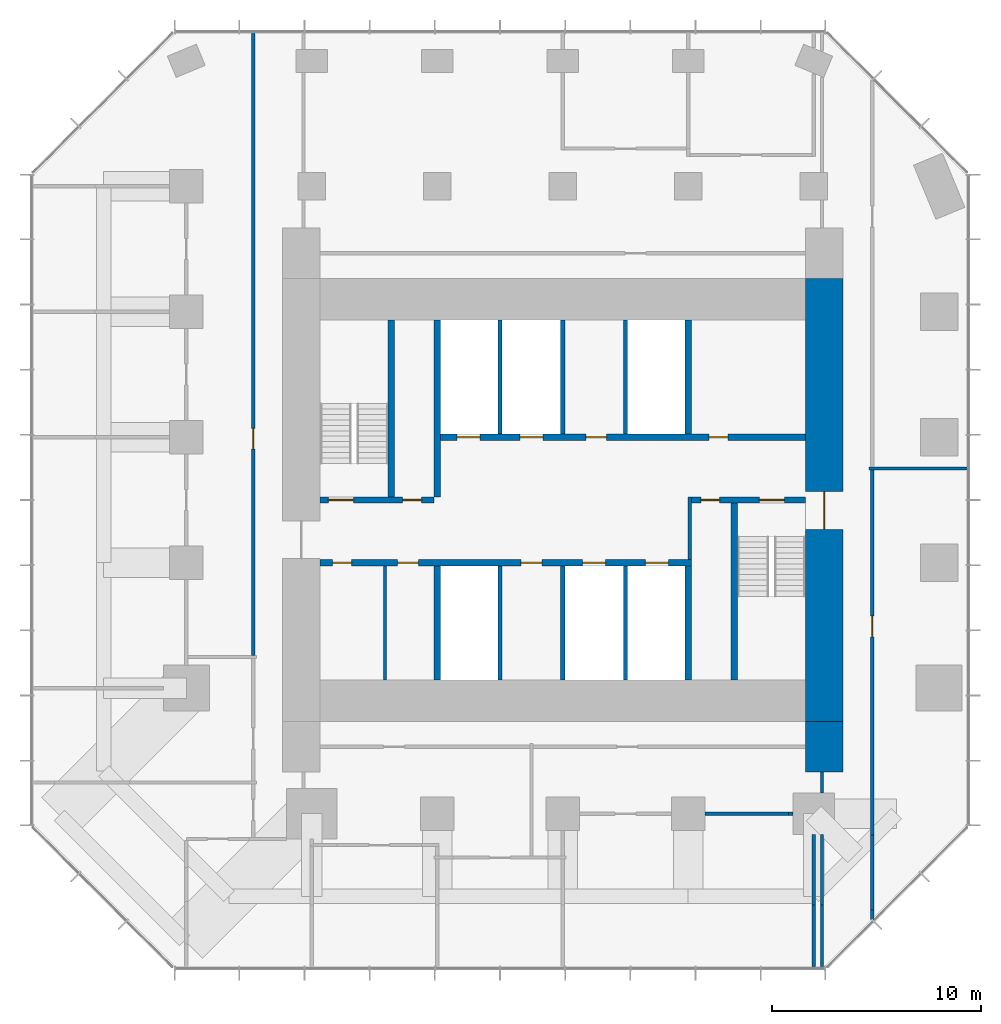
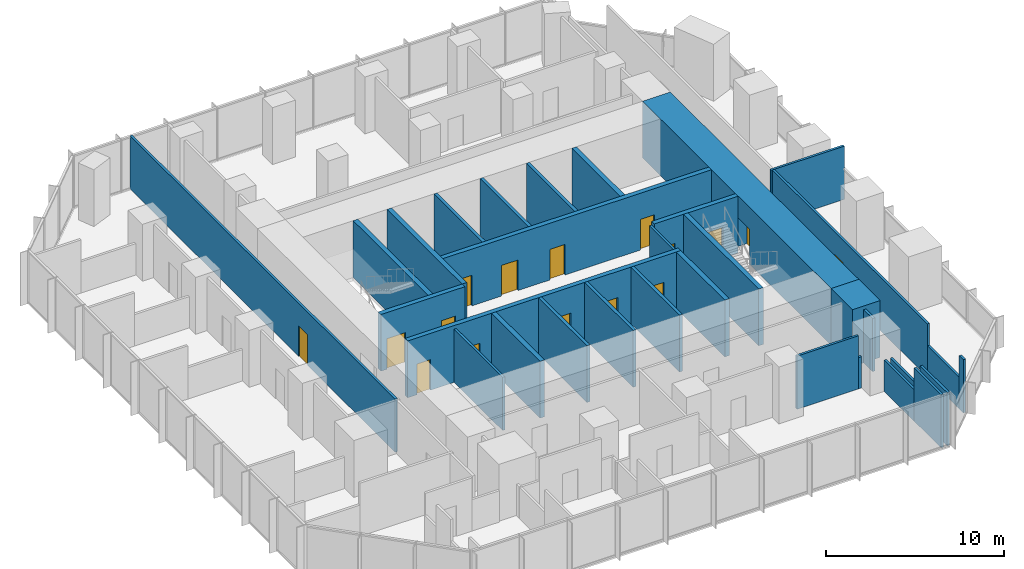
# One storey, part 9 of 11: 32 walls, 16 doors, 16 openings.
"""IFC4 building model written with IfcOpenShell, lengths in metres."""

from ifc_helpers import new_model, si_unit, direction, frame, frame_2d, origin, place, context, subcontext, project, spatial, rectangle, extrude, material, layer, layer_set, type_object, element, fill, save


model = new_model("IFC4")

# Units and contexts
model_context = context("Model", 3, precision=1e-05, world=origin(), true_north=direction((0.0, 1.0)))
body_context = subcontext(model_context, "Body", "Model", "MODEL_VIEW")
ifc_project = project(units=[si_unit("LENGTHUNIT", "METRE"), si_unit("AREAUNIT", "SQUARE_METRE"), si_unit("VOLUMEUNIT", "CUBIC_METRE"), si_unit("PLANEANGLEUNIT", "RADIAN"), si_unit("MASSUNIT", "GRAM", prefix="KILO")], contexts=[model_context])

# Site, building, storey
site_placement = place(None, origin())
site = spatial("IfcSite", under=ifc_project, at=site_placement, CompositionType="ELEMENT")
building_placement = place(site_placement, origin())
building = spatial("IfcBuilding", under=site, at=building_placement, Name="Highveld Stack Headquarters", CompositionType="ELEMENT")
storey_placement = place(building_placement, frame((0.0, 0.0, 235.699951171875)))
storey = spatial("IfcBuildingStorey", under=building, at=storey_placement, Name="L58", CompositionType="ELEMENT", Elevation=235.699951171875)

# Wall, opening, door
ifc_material_1 = material(Name="Concrete C60/75", Category="concrete")
ifc_layer_1 = layer(ifc_material_1, 1.800048828125)
ifc_layer_set_1 = layer_set([ifc_layer_1], Name="Concrete C60/75")
wall_type_1 = type_object("IfcWallType", Name="CORE WALL 1800 C60/75", PredefinedType="SHEAR", material=ifc_layer_set_1)
wall_1_placement = place(storey_placement, frame((18.5, -7.60009765625, 0.0), z_axis=(0.0, 0.0, 1.0), x_axis=(0.0, 1.0, 0.0)))
wall_1 = element("IfcWall", 1, at=wall_1_placement, inside=storey, type_object=wall_type_1, Name="Core wall E L58", PredefinedType="SHEAR", context=body_context, shape_type="SweptSolid", body=[
    extrude(rectangle(XDim=21.2001953125, YDim=1.800048828125, at=frame_2d((10.60009765625, 0.0))), origin(), (0.0, 0.0, 1.0), 3.900146484375),
])
opening_1_placement = place(wall_1_placement, frame((9.199951171875, 0.0, 0.0)))
opening_1 = element("IfcOpeningElement", 2, at=opening_1_placement, cuts=wall_1, Name="Opening L58-02", PredefinedType="OPENING", context=body_context, shape_type="SweptSolid", body=[
    extrude(rectangle(XDim=1.800048828125, YDim=2.39990234375, at=frame_2d((0.89990234375, 1.199951171875))), frame((0.0, 0.909912109375, 0.0), z_axis=(0.0, -1.0, 0.0), x_axis=(1.0, 0.0, 0.0)), (0.0, 0.0, 1.0), 1.820068359375),
])
ifc_material_2 = material(Name="Steel fire door", Category="steel")
door_type_1 = type_object("IfcDoorType", Name="LOBBY FIRE DOOR D4 1800x2400", OperationType="DOUBLE_DOOR_SINGLE_SWING", PredefinedType="DOOR", material=ifc_material_2)
door_1_placement = place(opening_1_placement, origin())
door_1 = element("IfcDoor", 3, at=door_1_placement, inside=storey, type_object=door_type_1, Name="Core east door L58", OperationType="DOUBLE_DOOR_SINGLE_SWING", OverallHeight=2.39990234375, OverallWidth=1.800048828125, PredefinedType="DOOR", context=body_context, shape_type="SweptSolid", body=[
    extrude(rectangle(XDim=1.800048828125, YDim=2.39990234375, at=frame_2d((0.89990234375, 1.199951171875))), frame((0.0, 0.02490234375, 0.0), z_axis=(0.0, -1.0, 0.0), x_axis=(1.0, 0.0, 0.0)), (0.0, 0.0, 1.0), 0.050048828125),
])
fill(opening_1, door_1)

# Wall, openings, doors
ifc_material_3 = material(Name="Concrete C60/75", Category="concrete")
ifc_layer_2 = layer(ifc_material_3, 0.300048828125)
ifc_layer_set_2 = layer_set([ifc_layer_2], Name="Concrete C60/75")
wall_type_2 = type_object("IfcWallType", Name="CORE WALL 300 C60/75", PredefinedType="SHEAR", material=ifc_layer_set_2)
wall_2_placement = place(storey_placement, frame((-5.60009765625, 0.0, 0.0), z_axis=(0.0, 0.0, 1.0), x_axis=(1.0, 0.0, 0.0)))
wall_2 = element("IfcWall", 4, at=wall_2_placement, inside=storey, type_object=wall_type_2, Name="Core wall I-Y0 L58", PredefinedType="SHEAR", context=body_context, shape_type="SweptSolid", body=[
    extrude(rectangle(XDim=17.75, YDim=0.300048828125, at=frame_2d((8.875, 0.0))), origin(), (0.0, 0.0, 1.0), 3.900146484375),
])
opening_2_placement = place(wall_2_placement, frame((0.60009765625, 0.0, 0.0)))
opening_2 = element("IfcOpeningElement", 5, at=opening_2_placement, cuts=wall_2, Name="Opening L58-07", PredefinedType="OPENING", context=body_context, shape_type="SweptSolid", body=[
    extrude(rectangle(XDim=0.89990234375, YDim=2.10009765625, at=frame_2d((0.449951171875, 1.050048828125))), frame((0.0, 0.159912109375, 0.0), z_axis=(0.0, -1.0, 0.0), x_axis=(1.0, 0.0, 0.0)), (0.0, 0.0, 1.0), 0.320068359375),
])
opening_3_placement = place(wall_2_placement, frame((3.699951171875, 0.0, 0.0)))
opening_3 = element("IfcOpeningElement", 6, at=opening_3_placement, cuts=wall_2, Name="Opening L58-08", PredefinedType="OPENING", context=body_context, shape_type="SweptSolid", body=[
    extrude(rectangle(XDim=1.0, YDim=2.10009765625, at=frame_2d((0.5, 1.050048828125))), frame((0.0, 0.159912109375, 0.0), z_axis=(0.0, -1.0, 0.0), x_axis=(1.0, 0.0, 0.0)), (0.0, 0.0, 1.0), 0.320068359375),
])
opening_4_placement = place(wall_2_placement, frame((9.60009765625, 0.0, 0.0)))
opening_4 = element("IfcOpeningElement", 7, at=opening_4_placement, cuts=wall_2, Name="Opening L58-11", PredefinedType="OPENING", context=body_context, shape_type="SweptSolid", body=[
    extrude(rectangle(XDim=1.0, YDim=2.10009765625, at=frame_2d((0.5, 1.050048828125))), frame((0.0, 0.159912109375, 0.0), z_axis=(0.0, -1.0, 0.0), x_axis=(1.0, 0.0, 0.0)), (0.0, 0.0, 1.0), 0.320068359375),
])
opening_5_placement = place(wall_2_placement, frame((12.550048828125, 0.0, 0.0)))
opening_5 = element("IfcOpeningElement", 8, at=opening_5_placement, cuts=wall_2, Name="Opening LD", PredefinedType="OPENING", context=body_context, shape_type="SweptSolid", body=[
    extrude(rectangle(XDim=1.10009765625, YDim=2.10009765625, at=frame_2d((0.550048828125, 1.050048828125))), frame((0.0, 0.159912109375, 0.0), z_axis=(0.0, -1.0, 0.0), x_axis=(1.0, 0.0, 0.0)), (0.0, 0.0, 1.0), 0.320068359375),
])
opening_6_placement = place(wall_2_placement, frame((15.550048828125, 0.0, 0.0)))
opening_6 = element("IfcOpeningElement", 9, at=opening_6_placement, cuts=wall_2, Name="Opening LD", PredefinedType="OPENING", context=body_context, shape_type="SweptSolid", body=[
    extrude(rectangle(XDim=1.10009765625, YDim=2.10009765625, at=frame_2d((0.550048828125, 1.050048828125))), frame((0.0, 0.159912109375, 0.0), z_axis=(0.0, -1.0, 0.0), x_axis=(1.0, 0.0, 0.0)), (0.0, 0.0, 1.0), 0.320068359375),
])
ifc_material_4 = material(Name="Timber door, painted", Category="wood")
door_type_2 = type_object("IfcDoorType", Name="ACCESSIBLE WC DOOR D2 1000x2100", OperationType="SINGLE_SWING_RIGHT", PredefinedType="DOOR", material=ifc_material_4)
door_2_placement = place(opening_3_placement, origin())
door_2 = element("IfcDoor", 10, at=door_2_placement, inside=storey, type_object=door_type_2, Name="Accessible WC door L58", OperationType="SINGLE_SWING_LEFT", OverallHeight=2.10009765625, OverallWidth=1.0, PredefinedType="DOOR", context=body_context, shape_type="SweptSolid", body=[
    extrude(rectangle(XDim=1.0, YDim=2.10009765625, at=frame_2d((0.5, 1.050048828125))), frame((0.0, 0.02490234375, 0.0), z_axis=(0.0, -1.0, 0.0), x_axis=(1.0, 0.0, 0.0)), (0.0, 0.0, 1.0), 0.050048828125),
])
fill(opening_3, door_2)
ifc_material_5 = material(Name="Steel fire door", Category="steel")
door_type_3 = type_object("IfcDoorType", Name="CORE ROOM FIRE DOOR D14 1000x2100", OperationType="SINGLE_SWING_LEFT", PredefinedType="DOOR", material=ifc_material_5)
door_3_placement = place(opening_4_placement, origin())
door_3 = element("IfcDoor", 11, at=door_3_placement, inside=storey, type_object=door_type_3, Name="Capped B 1 door L58", OperationType="SINGLE_SWING_RIGHT", OverallHeight=2.10009765625, OverallWidth=1.0, PredefinedType="DOOR", context=body_context, shape_type="SweptSolid", body=[
    extrude(rectangle(XDim=1.0, YDim=2.10009765625, at=frame_2d((0.5, 1.050048828125))), frame((0.0, 0.02490234375, 0.0), z_axis=(0.0, -1.0, 0.0), x_axis=(1.0, 0.0, 0.0)), (0.0, 0.0, 1.0), 0.050048828125),
])
fill(opening_4, door_3)
ifc_material_6 = material(Name="Stainless steel lift landing door", Category="steel")
door_type_4 = type_object("IfcDoorType", Name="LIFT LANDING DOOR LD 1100x2100", OperationType="DOUBLE_DOOR_SLIDING", PredefinedType="USERDEFINED", material=ifc_material_6)
door_4_placement = place(opening_5_placement, origin())
door_4 = element("IfcDoor", 12, at=door_4_placement, inside=storey, type_object=door_type_4, Name="Lift landing door C1 L58", ObjectType="LIFT LANDING DOOR", OperationType="DOUBLE_DOOR_SLIDING", OverallHeight=2.10009765625, OverallWidth=1.10009765625, PredefinedType="USERDEFINED", context=body_context, shape_type="SweptSolid", body=[
    extrude(rectangle(XDim=1.10009765625, YDim=2.10009765625, at=frame_2d((0.550048828125, 1.050048828125))), frame((0.0, 0.02490234375, 0.0), z_axis=(0.0, -1.0, 0.0), x_axis=(1.0, 0.0, 0.0)), (0.0, 0.0, 1.0), 0.050048828125),
])
fill(opening_5, door_4)
door_5_placement = place(opening_6_placement, origin())
door_5 = element("IfcDoor", 13, at=door_5_placement, inside=storey, type_object=door_type_4, Name="Lift landing door C2 L58", ObjectType="LIFT LANDING DOOR", OperationType="DOUBLE_DOOR_SLIDING", OverallHeight=2.10009765625, OverallWidth=1.10009765625, PredefinedType="USERDEFINED", context=body_context, shape_type="SweptSolid", body=[
    extrude(rectangle(XDim=1.10009765625, YDim=2.10009765625, at=frame_2d((0.550048828125, 1.050048828125))), frame((0.0, 0.02490234375, 0.0), z_axis=(0.0, -1.0, 0.0), x_axis=(1.0, 0.0, 0.0)), (0.0, 0.0, 1.0), 0.050048828125),
])
fill(opening_6, door_5)
ifc_material_7 = material(Name="Timber door, painted", Category="wood")
door_type_5 = type_object("IfcDoorType", Name="WC DOOR D1 900x2100", OperationType="SINGLE_SWING_LEFT", PredefinedType="DOOR", material=ifc_material_7)
door_6_placement = place(opening_2_placement, origin())
door_6 = element("IfcDoor", 14, at=door_6_placement, inside=storey, type_object=door_type_5, Name="Female WC door L58", OperationType="SINGLE_SWING_LEFT", OverallHeight=2.10009765625, OverallWidth=0.89990234375, PredefinedType="DOOR", context=body_context, shape_type="SweptSolid", body=[
    extrude(rectangle(XDim=0.89990234375, YDim=2.10009765625, at=frame_2d((0.449951171875, 1.050048828125))), frame((0.0, 0.02490234375, 0.0), z_axis=(0.0, -1.0, 0.0), x_axis=(1.0, 0.0, 0.0)), (0.0, 0.0, 1.0), 0.050048828125),
])
fill(opening_2, door_6)

wall_3_placement = place(storey_placement, frame((-5.60009765625, 3.0, 0.0), z_axis=(0.0, 0.0, 1.0), x_axis=(1.0, 0.0, 0.0)))
wall_3 = element("IfcWall", 15, at=wall_3_placement, inside=storey, type_object=wall_type_2, Name="Core wall I-Y3W L58", PredefinedType="SHEAR", context=body_context, shape_type="SweptSolid", body=[
    extrude(rectangle(XDim=5.4501953125, YDim=0.300048828125, at=frame_2d((2.72509765625, 0.0))), origin(), (0.0, 0.0, 1.0), 3.900146484375),
])
opening_7_placement = place(wall_3_placement, frame((0.39990234375, 0.0, 0.0)))
opening_7 = element("IfcOpeningElement", 16, at=opening_7_placement, cuts=wall_3, Name="Opening L58-03", PredefinedType="OPENING", context=body_context, shape_type="SweptSolid", body=[
    extrude(rectangle(XDim=1.199951171875, YDim=2.10009765625, at=frame_2d((0.60009765625, 1.050048828125))), frame((0.0, 0.159912109375, 0.0), z_axis=(0.0, -1.0, 0.0), x_axis=(1.0, 0.0, 0.0)), (0.0, 0.0, 1.0), 0.320068359375),
])
opening_8_placement = place(wall_3_placement, frame((3.949951171875, 0.0, 0.0)))
opening_8 = element("IfcOpeningElement", 17, at=opening_8_placement, cuts=wall_3, Name="Opening L58-04", PredefinedType="OPENING", context=body_context, shape_type="SweptSolid", body=[
    extrude(rectangle(XDim=0.89990234375, YDim=2.10009765625, at=frame_2d((0.449951171875, 1.050048828125))), frame((0.0, 0.159912109375, 0.0), z_axis=(0.0, -1.0, 0.0), x_axis=(1.0, 0.0, 0.0)), (0.0, 0.0, 1.0), 0.320068359375),
])
ifc_material_8 = material(Name="Steel fire door", Category="steel")
door_type_6 = type_object("IfcDoorType", Name="RISER ACCESS DOOR D5 900x2100", OperationType="SINGLE_SWING_LEFT", PredefinedType="DOOR", material=ifc_material_8)
door_7_placement = place(opening_8_placement, origin())
door_7 = element("IfcDoor", 18, at=door_7_placement, inside=storey, type_object=door_type_6, Name="Riser R1 door L58", OperationType="SINGLE_SWING_RIGHT", OverallHeight=2.10009765625, OverallWidth=0.89990234375, PredefinedType="DOOR", context=body_context, shape_type="SweptSolid", body=[
    extrude(rectangle(XDim=0.89990234375, YDim=2.10009765625, at=frame_2d((0.449951171875, 1.050048828125))), frame((0.0, 0.02490234375, 0.0), z_axis=(0.0, -1.0, 0.0), x_axis=(1.0, 0.0, 0.0)), (0.0, 0.0, 1.0), 0.050048828125),
])
fill(opening_8, door_7)
ifc_material_9 = material(Name="Steel fire door", Category="steel")
door_type_7 = type_object("IfcDoorType", Name="STAIR FIRE DOOR D3 1200x2100", OperationType="SINGLE_SWING_LEFT", PredefinedType="DOOR", material=ifc_material_9)
door_8_placement = place(opening_7_placement, origin())
door_8 = element("IfcDoor", 19, at=door_8_placement, inside=storey, type_object=door_type_7, Name="Stair S1 door L58", OperationType="SINGLE_SWING_LEFT", OverallHeight=2.10009765625, OverallWidth=1.199951171875, PredefinedType="DOOR", context=body_context, shape_type="SweptSolid", body=[
    extrude(rectangle(XDim=1.199951171875, YDim=2.10009765625, at=frame_2d((0.60009765625, 1.050048828125))), frame((0.0, 0.02490234375, 0.0), z_axis=(0.0, -1.0, 0.0), x_axis=(1.0, 0.0, 0.0)), (0.0, 0.0, 1.0), 0.050048828125),
])
fill(opening_7, door_8)

wall_4_placement = place(storey_placement, frame((12.14990234375, 3.0, 0.0), z_axis=(0.0, 0.0, 1.0), x_axis=(1.0, 0.0, 0.0)))
wall_4 = element("IfcWall", 20, at=wall_4_placement, inside=storey, type_object=wall_type_2, Name="Core wall I-Y3E L58", PredefinedType="SHEAR", context=body_context, shape_type="SweptSolid", body=[
    extrude(rectangle(XDim=5.4501953125, YDim=0.300048828125, at=frame_2d((2.72509765625, 0.0))), origin(), (0.0, 0.0, 1.0), 3.900146484375),
])
opening_9_placement = place(wall_4_placement, frame((3.25, 0.0, 0.0)))
opening_9 = element("IfcOpeningElement", 21, at=opening_9_placement, cuts=wall_4, Name="Opening L58-05", PredefinedType="OPENING", context=body_context, shape_type="SweptSolid", body=[
    extrude(rectangle(XDim=1.199951171875, YDim=2.10009765625, at=frame_2d((0.60009765625, 1.050048828125))), frame((0.0, 0.159912109375, 0.0), z_axis=(0.0, -1.0, 0.0), x_axis=(1.0, 0.0, 0.0)), (0.0, 0.0, 1.0), 0.320068359375),
])
opening_10_placement = place(wall_4_placement, frame((0.449951171875, 0.0, 0.0)))
opening_10 = element("IfcOpeningElement", 22, at=opening_10_placement, cuts=wall_4, Name="Opening L58-06", PredefinedType="OPENING", context=body_context, shape_type="SweptSolid", body=[
    extrude(rectangle(XDim=0.89990234375, YDim=2.10009765625, at=frame_2d((0.449951171875, 1.050048828125))), frame((0.0, 0.159912109375, 0.0), z_axis=(0.0, -1.0, 0.0), x_axis=(1.0, 0.0, 0.0)), (0.0, 0.0, 1.0), 0.320068359375),
])
door_9_placement = place(opening_10_placement, origin())
door_9 = element("IfcDoor", 23, at=door_9_placement, inside=storey, type_object=door_type_6, Name="Riser R2 door L58", OperationType="SINGLE_SWING_LEFT", OverallHeight=2.10009765625, OverallWidth=0.89990234375, PredefinedType="DOOR", context=body_context, shape_type="SweptSolid", body=[
    extrude(rectangle(XDim=0.89990234375, YDim=2.10009765625, at=frame_2d((0.449951171875, 1.050048828125))), frame((0.0, 0.02490234375, 0.0), z_axis=(0.0, -1.0, 0.0), x_axis=(1.0, 0.0, 0.0)), (0.0, 0.0, 1.0), 0.050048828125),
])
fill(opening_10, door_9)
door_10_placement = place(opening_9_placement, origin())
door_10 = element("IfcDoor", 24, at=door_10_placement, inside=storey, type_object=door_type_7, Name="Stair S2 door L58", OperationType="SINGLE_SWING_RIGHT", OverallHeight=2.10009765625, OverallWidth=1.199951171875, PredefinedType="DOOR", context=body_context, shape_type="SweptSolid", body=[
    extrude(rectangle(XDim=1.199951171875, YDim=2.10009765625, at=frame_2d((0.60009765625, 1.050048828125))), frame((0.0, 0.02490234375, 0.0), z_axis=(0.0, -1.0, 0.0), x_axis=(1.0, 0.0, 0.0)), (0.0, 0.0, 1.0), 0.050048828125),
])
fill(opening_9, door_10)

wall_5_placement = place(storey_placement, frame((-0.14990234375, 6.0, 0.0), z_axis=(0.0, 0.0, 1.0), x_axis=(1.0, 0.0, 0.0)))
wall_5 = element("IfcWall", 25, at=wall_5_placement, inside=storey, type_object=wall_type_2, Name="Core wall I-Y6 L58", PredefinedType="SHEAR", context=body_context, shape_type="SweptSolid", body=[
    extrude(rectangle(XDim=17.75, YDim=0.300048828125, at=frame_2d((8.875, 0.0))), origin(), (0.0, 0.0, 1.0), 3.900146484375),
])
opening_11_placement = place(wall_5_placement, frame((13.14990234375, 0.0, 0.0)))
opening_11 = element("IfcOpeningElement", 26, at=opening_11_placement, cuts=wall_5, Name="Opening L58-09", PredefinedType="OPENING", context=body_context, shape_type="SweptSolid", body=[
    extrude(rectangle(XDim=0.89990234375, YDim=2.10009765625, at=frame_2d((0.449951171875, 1.050048828125))), frame((0.0, 0.159912109375, 0.0), z_axis=(0.0, -1.0, 0.0), x_axis=(1.0, 0.0, 0.0)), (0.0, 0.0, 1.0), 0.320068359375),
])
opening_12_placement = place(wall_5_placement, frame((7.25, 0.0, 0.0)))
opening_12 = element("IfcOpeningElement", 27, at=opening_12_placement, cuts=wall_5, Name="Opening L58-10", PredefinedType="OPENING", context=body_context, shape_type="SweptSolid", body=[
    extrude(rectangle(XDim=1.0, YDim=2.10009765625, at=frame_2d((0.5, 1.050048828125))), frame((0.0, 0.159912109375, 0.0), z_axis=(0.0, -1.0, 0.0), x_axis=(1.0, 0.0, 0.0)), (0.0, 0.0, 1.0), 0.320068359375),
])
opening_13_placement = place(wall_5_placement, frame((1.10009765625, 0.0, 0.0)))
opening_13 = element("IfcOpeningElement", 28, at=opening_13_placement, cuts=wall_5, Name="Opening LD", PredefinedType="OPENING", context=body_context, shape_type="SweptSolid", body=[
    extrude(rectangle(XDim=1.10009765625, YDim=2.10009765625, at=frame_2d((0.550048828125, 1.050048828125))), frame((0.0, 0.159912109375, 0.0), z_axis=(0.0, -1.0, 0.0), x_axis=(1.0, 0.0, 0.0)), (0.0, 0.0, 1.0), 0.320068359375),
])
opening_14_placement = place(wall_5_placement, frame((4.10009765625, 0.0, 0.0)))
opening_14 = element("IfcOpeningElement", 29, at=opening_14_placement, cuts=wall_5, Name="Opening LD", PredefinedType="OPENING", context=body_context, shape_type="SweptSolid", body=[
    extrude(rectangle(XDim=1.10009765625, YDim=2.10009765625, at=frame_2d((0.550048828125, 1.050048828125))), frame((0.0, 0.159912109375, 0.0), z_axis=(0.0, -1.0, 0.0), x_axis=(1.0, 0.0, 0.0)), (0.0, 0.0, 1.0), 0.320068359375),
])
door_11_placement = place(opening_12_placement, origin())
door_11 = element("IfcDoor", 30, at=door_11_placement, inside=storey, type_object=door_type_3, Name="Capped A 1 door L58", OperationType="SINGLE_SWING_LEFT", OverallHeight=2.10009765625, OverallWidth=1.0, PredefinedType="DOOR", context=body_context, shape_type="SweptSolid", body=[
    extrude(rectangle(XDim=1.0, YDim=2.10009765625, at=frame_2d((0.5, 1.050048828125))), frame((0.0, 0.02490234375, 0.0), z_axis=(0.0, -1.0, 0.0), x_axis=(1.0, 0.0, 0.0)), (0.0, 0.0, 1.0), 0.050048828125),
])
fill(opening_12, door_11)
door_12_placement = place(opening_13_placement, origin())
door_12 = element("IfcDoor", 31, at=door_12_placement, inside=storey, type_object=door_type_4, Name="Lift landing door FF1 L58", ObjectType="LIFT LANDING DOOR", OperationType="DOUBLE_DOOR_SLIDING", OverallHeight=2.10009765625, OverallWidth=1.10009765625, PredefinedType="USERDEFINED", context=body_context, shape_type="SweptSolid", body=[
    extrude(rectangle(XDim=1.10009765625, YDim=2.10009765625, at=frame_2d((0.550048828125, 1.050048828125))), frame((0.0, 0.02490234375, 0.0), z_axis=(0.0, -1.0, 0.0), x_axis=(1.0, 0.0, 0.0)), (0.0, 0.0, 1.0), 0.050048828125),
])
fill(opening_13, door_12)
door_13_placement = place(opening_14_placement, origin())
door_13 = element("IfcDoor", 32, at=door_13_placement, inside=storey, type_object=door_type_4, Name="Lift landing door FF2 L58", ObjectType="LIFT LANDING DOOR", OperationType="DOUBLE_DOOR_SLIDING", OverallHeight=2.10009765625, OverallWidth=1.10009765625, PredefinedType="USERDEFINED", context=body_context, shape_type="SweptSolid", body=[
    extrude(rectangle(XDim=1.10009765625, YDim=2.10009765625, at=frame_2d((0.550048828125, 1.050048828125))), frame((0.0, 0.02490234375, 0.0), z_axis=(0.0, -1.0, 0.0), x_axis=(1.0, 0.0, 0.0)), (0.0, 0.0, 1.0), 0.050048828125),
])
fill(opening_14, door_13)
door_14_placement = place(opening_11_placement, origin())
door_14 = element("IfcDoor", 33, at=door_14_placement, inside=storey, type_object=door_type_5, Name="Male WC door L58", OperationType="SINGLE_SWING_RIGHT", OverallHeight=2.10009765625, OverallWidth=0.89990234375, PredefinedType="DOOR", context=body_context, shape_type="SweptSolid", body=[
    extrude(rectangle(XDim=0.89990234375, YDim=2.10009765625, at=frame_2d((0.449951171875, 1.050048828125))), frame((0.0, 0.02490234375, 0.0), z_axis=(0.0, -1.0, 0.0), x_axis=(1.0, 0.0, 0.0)), (0.0, 0.0, 1.0), 0.050048828125),
])
fill(opening_11, door_14)

# Walls
wall_6_placement = place(storey_placement, frame((0.0, -5.60009765625, 0.0), z_axis=(0.0, 0.0, 1.0), x_axis=(0.0, 1.0, 0.0)))
element("IfcWall", 34, at=wall_6_placement, inside=storey, type_object=wall_type_2, Name="Core wall I-X0S L58", PredefinedType="SHEAR", context=body_context, shape_type="SweptSolid", body=[
    extrude(rectangle(XDim=5.4501953125, YDim=0.300048828125, at=frame_2d((2.72509765625, 0.0))), origin(), (0.0, 0.0, 1.0), 3.900146484375),
])
wall_7_placement = place(storey_placement, frame((0.0, 3.14990234375, 0.0), z_axis=(0.0, 0.0, 1.0), x_axis=(0.0, 1.0, 0.0)))
element("IfcWall", 35, at=wall_7_placement, inside=storey, type_object=wall_type_2, Name="Core wall I-X0N L58", PredefinedType="SHEAR", context=body_context, shape_type="SweptSolid", body=[
    extrude(rectangle(XDim=8.4501953125, YDim=0.300048828125, at=frame_2d((4.22509765625, 0.0))), origin(), (0.0, 0.0, 1.0), 3.900146484375),
])
for number, where, z_axis, x_axis, name in (
    (36, (12.0, -5.60009765625, 0.0), (0.0, 0.0, 1.0), (0.0, 1.0, 0.0), "Core wall I-X12S L58"),
    (37, (12.0, 6.14990234375, 0.0), (0.0, 0.0, 1.0), (0.0, 1.0, 0.0), "Core wall I-X12N L58"),
):
    element("IfcWall", number, at=place(storey_placement, frame(where, z_axis=z_axis, x_axis=x_axis)), inside=storey, type_object=wall_type_2, Name=name, PredefinedType="SHEAR", context=body_context, shape_type="SweptSolid", body=[
        extrude(rectangle(XDim=5.4501953125, YDim=0.300048828125, at=frame_2d((2.72509765625, 0.0))), origin(), (0.0, 0.0, 1.0), 3.900146484375),
    ])
for number, where, z_axis, x_axis, name in (
    (38, (-2.199951171875, 3.14990234375, 0.0), (0.0, 0.0, 1.0), (0.0, 1.0, 0.0), "Core wall I-RW L58"),
    (39, (14.199951171875, -5.60009765625, 0.0), (0.0, 0.0, 1.0), (0.0, 1.0, 0.0), "Core wall I-RE L58"),
):
    element("IfcWall", number, at=place(storey_placement, frame(where, z_axis=z_axis, x_axis=x_axis)), inside=storey, type_object=wall_type_2, Name=name, PredefinedType="SHEAR", context=body_context, shape_type="SweptSolid", body=[
        extrude(rectangle(XDim=8.4501953125, YDim=0.300048828125, at=frame_2d((4.22509765625, 0.0))), origin(), (0.0, 0.0, 1.0), 3.900146484375),
    ])
ifc_material_10 = material(Name="Concrete C60/75", Category="concrete")
ifc_layer_3 = layer(ifc_material_10, 1.800048828125)
ifc_layer_set_3 = layer_set([ifc_layer_3], Name="Concrete C60/75")
wall_type_3 = type_object("IfcWallType", Name="CORE WING WALL 1800 C60/75", PredefinedType="SHEAR", material=ifc_layer_set_3)
wall_8_placement = place(storey_placement, frame((18.5, -10.0, 0.0), z_axis=(0.0, 0.0, 1.0), x_axis=(0.0, 1.0, 0.0)))
element("IfcWall", 40, at=wall_8_placement, inside=storey, type_object=wall_type_3, Name="Core wing wall ES L58", PredefinedType="SHEAR", context=body_context, shape_type="SweptSolid", body=[
    extrude(rectangle(XDim=2.39990234375, YDim=1.800048828125, at=frame_2d((1.199951171875, 0.0))), origin(), (0.0, 0.0, 1.0), 3.900146484375),
])
ifc_material_11 = material(Name="Concrete blockwork, plastered", Category="masonry")
ifc_layer_4 = layer(ifc_material_11, 0.14990234375)
ifc_layer_set_4 = layer_set([ifc_layer_4], Name="Concrete blockwork, plastered")
wall_type_4 = type_object("IfcWallType", Name="FIRE PARTITION 150 BLOCKWORK", PredefinedType="PARTITIONING", material=ifc_layer_set_4)
wall_9_placement = place(storey_placement, frame((12.074951171875, 0.14990234375, 0.0), z_axis=(0.0, 0.0, 1.0), x_axis=(0.0, 1.0, 0.0)))
element("IfcWall", 41, at=wall_9_placement, inside=storey, type_object=wall_type_4, Name="Riser R2 enclosure L58", PredefinedType="PARTITIONING", context=body_context, shape_type="SweptSolid", body=[
    extrude(rectangle(XDim=3.0, YDim=0.14990234375, at=frame_2d((1.5, 0.0))), origin(), (0.0, 0.0, 1.0), 3.650146484375),
])
ifc_material_12 = material(Name="Concrete blockwork, fair-faced", Category="masonry")
ifc_layer_5 = layer(ifc_material_12, 0.199951171875)
ifc_layer_set_5 = layer_set([ifc_layer_5], Name="Concrete blockwork, fair-faced")
wall_type_5 = type_object("IfcWallType", Name="LIFT SHAFT ENCLOSURE WALL 200 BLOCKWORK", PredefinedType="SOLIDWALL", material=ifc_layer_set_5)
for number, where, z_axis, x_axis, name in (
    (42, (3.0, 6.14990234375, 0.0), (0.0, 0.0, 1.0), (0.0, 1.0, 0.0), "Lift shaft wall L58"),
    (43, (6.0, 6.14990234375, 0.0), (0.0, 0.0, 1.0), (0.0, 1.0, 0.0), "Lift shaft wall L58"),
    (44, (9.0, 6.14990234375, 0.0), (0.0, 0.0, 1.0), (0.0, 1.0, 0.0), "Lift shaft wall L58"),
    (45, (3.0, -5.60009765625, 0.0), (0.0, 0.0, 1.0), (0.0, 1.0, 0.0), "Lift shaft wall L58"),
    (46, (6.0, -5.60009765625, 0.0), (0.0, 0.0, 1.0), (0.0, 1.0, 0.0), "Lift shaft wall L58"),
    (47, (9.0, -5.60009765625, 0.0), (0.0, 0.0, 1.0), (0.0, 1.0, 0.0), "Lift shaft wall L58"),
):
    element("IfcWall", number, at=place(storey_placement, frame(where, z_axis=z_axis, x_axis=x_axis)), inside=storey, type_object=wall_type_5, Name=name, PredefinedType="SOLIDWALL", context=body_context, shape_type="SweptSolid", body=[
        extrude(rectangle(XDim=5.4501953125, YDim=0.199951171875, at=frame_2d((2.72509765625, 0.0))), origin(), (0.0, 0.0, 1.0), 3.900146484375),
    ])
ifc_material_13 = material(Name="Gypsum plasterboard on steel studs", Category="steel")
ifc_layer_6 = layer(ifc_material_13, 0.14990234375)
ifc_layer_set_6 = layer_set([ifc_layer_6], Name="Gypsum plasterboard on steel studs")
wall_type_6 = type_object("IfcWallType", Name="PARTITION 150 PLASTERBOARD", PredefinedType="PARTITIONING", material=ifc_layer_set_6)
wall_10_placement = place(storey_placement, frame((12.800048828125, -12.0, 0.0), z_axis=(0.0, 0.0, 1.0), x_axis=(1.0, 0.0, 0.0)))
element("IfcWall", 48, at=wall_10_placement, inside=storey, type_object=wall_type_6, Name="Partition Team office L58", PredefinedType="PARTITIONING", context=body_context, shape_type="SweptSolid", body=[
    extrude(rectangle(XDim=3.989990234375, YDim=0.14990234375, at=frame_2d((1.9951171875, 0.0))), origin(), (0.0, 0.0, 1.0), 3.650146484375),
])
wall_11_placement = place(storey_placement, frame((16.7900390625, -12.0, 0.0), z_axis=(0.0, 0.0, 1.0), x_axis=(1.0, 0.0, 0.0)))
element("IfcWall", 49, at=wall_11_placement, inside=storey, type_object=wall_type_6, Name="Partition Team office L58", PredefinedType="PARTITIONING", context=body_context, shape_type="SweptSolid", body=[
    extrude(rectangle(XDim=0.2099609375, YDim=0.14990234375, at=frame_2d((0.10498046875, 0.0))), origin(), (0.0, 0.0, 1.0), 2.150146484375),
])
wall_12_placement = place(storey_placement, frame((18.0, -19.39990234375, 0.0), z_axis=(0.0, 0.0, 1.0), x_axis=(0.0, 1.0, 0.0)))
element("IfcWall", 50, at=wall_12_placement, inside=storey, type_object=wall_type_6, Name="Partition Team office L58", PredefinedType="PARTITIONING", context=body_context, shape_type="SweptSolid", body=[
    extrude(rectangle(XDim=3.039794921875, YDim=0.14990234375, at=frame_2d((1.52001953125, 0.0))), origin(), (0.0, 0.0, 1.0), 3.650146484375),
])
wall_13_placement = place(storey_placement, frame((18.0, -16.360107421875, 0.0), z_axis=(0.0, 0.0, 1.0), x_axis=(0.0, 1.0, 0.0)))
element("IfcWall", 51, at=wall_13_placement, inside=storey, type_object=wall_type_6, Name="Partition Team office L58", PredefinedType="PARTITIONING", context=body_context, shape_type="SweptSolid", body=[
    extrude(rectangle(XDim=3.360107421875, YDim=0.14990234375, at=frame_2d((1.68017578125, 0.0))), origin(), (0.0, 0.0, 1.0), 2.150146484375),
])

# Wall, opening, door
wall_14_placement = place(storey_placement, frame((-8.800048828125, -4.425048828125, 0.0), z_axis=(0.0, 0.0, 1.0), x_axis=(0.0, 1.0, 0.0)))
wall_14 = element("IfcWall", 52, at=wall_14_placement, inside=storey, type_object=wall_type_6, Name="Partition office neighbourhood L58", PredefinedType="PARTITIONING", context=body_context, shape_type="SweptSolid", body=[
    extrude(rectangle(XDim=29.824951171875, YDim=0.14990234375, at=frame_2d((14.91259765625, 0.0))), origin(), (0.0, 0.0, 1.0), 3.650146484375),
])
opening_15_placement = place(wall_14_placement, frame((9.85498046875, 0.0, 0.0)))
opening_15 = element("IfcOpeningElement", 53, at=opening_15_placement, cuts=wall_14, Name="Opening L58-27", PredefinedType="OPENING", context=body_context, shape_type="SweptSolid", body=[
    extrude(rectangle(XDim=1.0, YDim=2.10009765625, at=frame_2d((0.5, 1.050048828125))), frame((0.0, 0.0849609375, 0.0), z_axis=(0.0, -1.0, 0.0), x_axis=(1.0, 0.0, 0.0)), (0.0, 0.0, 1.0), 0.169921875),
])
ifc_material_14 = material(Name="Timber door, oiled ash", Category="wood")
door_type_8 = type_object("IfcDoorType", Name="ROOM DOOR D6 1000x2100", OperationType="SINGLE_SWING_LEFT", PredefinedType="DOOR", material=ifc_material_14)
door_15_placement = place(opening_15_placement, origin())
door_15 = element("IfcDoor", 54, at=door_15_placement, inside=storey, type_object=door_type_8, Name="Office neighbourhood door L58", OperationType="SINGLE_SWING_LEFT", OverallHeight=2.10009765625, OverallWidth=1.0, PredefinedType="DOOR", context=body_context, shape_type="SweptSolid", body=[
    extrude(rectangle(XDim=1.0, YDim=2.10009765625, at=frame_2d((0.5, 1.050048828125))), frame((0.0, 0.02490234375, 0.0), z_axis=(0.0, -1.0, 0.0), x_axis=(1.0, 0.0, 0.0)), (0.0, 0.0, 1.0), 0.050048828125),
])
fill(opening_15, door_15)

# Walls
wall_15_placement = place(storey_placement, frame((18.39990234375, -19.39990234375, 0.0), z_axis=(0.0, 0.0, 1.0), x_axis=(0.0, 1.0, 0.0)))
element("IfcWall", 55, at=wall_15_placement, inside=storey, type_object=wall_type_6, Name="Partition office neighbourhood L58", PredefinedType="PARTITIONING", context=body_context, shape_type="SweptSolid", body=[
    extrude(rectangle(XDim=3.039794921875, YDim=0.14990234375, at=frame_2d((1.52001953125, 0.0))), origin(), (0.0, 0.0, 1.0), 3.650146484375),
])
wall_16_placement = place(storey_placement, frame((18.39990234375, -16.360107421875, 0.0), z_axis=(0.0, 0.0, 1.0), x_axis=(0.0, 1.0, 0.0)))
element("IfcWall", 56, at=wall_16_placement, inside=storey, type_object=wall_type_6, Name="Partition office neighbourhood L58", PredefinedType="PARTITIONING", context=body_context, shape_type="SweptSolid", body=[
    extrude(rectangle(XDim=3.360107421875, YDim=0.14990234375, at=frame_2d((1.68017578125, 0.0))), origin(), (0.0, 0.0, 1.0), 2.150146484375),
])
wall_17_placement = place(storey_placement, frame((18.39990234375, -11.0, 0.0), z_axis=(0.0, 0.0, 1.0), x_axis=(0.0, 1.0, 0.0)))
element("IfcWall", 57, at=wall_17_placement, inside=storey, type_object=wall_type_6, Name="Partition office neighbourhood L58", PredefinedType="PARTITIONING", context=body_context, shape_type="SweptSolid", body=[
    extrude(rectangle(XDim=1.0, YDim=0.14990234375, at=frame_2d((0.5, 0.0))), origin(), (0.0, 0.0, 1.0), 3.650146484375),
])
wall_18_placement = place(storey_placement, frame((20.800048828125, -17.06396484375, 0.0), z_axis=(0.0, 0.0, 1.0), x_axis=(0.0, 1.0, 0.0)))
element("IfcWall", 58, at=wall_18_placement, inside=storey, type_object=wall_type_6, Name="Partition office neighbourhood L58", PredefinedType="PARTITIONING", context=body_context, shape_type="SweptSolid", body=[
    extrude(rectangle(XDim=0.471923828125, YDim=0.14990234375, at=frame_2d((0.23583984375, 0.0))), origin(), (0.0, 0.0, 1.0), 3.650146484375),
])
wall_19_placement = place(storey_placement, frame((20.800048828125, -16.592041015625, 0.0), z_axis=(0.0, 0.0, 1.0), x_axis=(0.0, 1.0, 0.0)))
element("IfcWall", 59, at=wall_19_placement, inside=storey, type_object=wall_type_6, Name="Partition office neighbourhood L58", PredefinedType="PARTITIONING", context=body_context, shape_type="SweptSolid", body=[
    extrude(rectangle(XDim=3.584228515625, YDim=0.14990234375, at=frame_2d((1.7919921875, 0.0))), origin(), (0.0, 0.0, 1.0), 2.150146484375),
])

# Wall, opening, door
wall_20_placement = place(storey_placement, frame((20.800048828125, -13.0078125, 0.0), z_axis=(0.0, 0.0, 1.0), x_axis=(0.0, 1.0, 0.0)))
wall_20 = element("IfcWall", 60, at=wall_20_placement, inside=storey, type_object=wall_type_6, Name="Partition office neighbourhood L58", PredefinedType="PARTITIONING", context=body_context, shape_type="SweptSolid", body=[
    extrude(rectangle(XDim=17.432861328125, YDim=0.14990234375, at=frame_2d((8.71630859375, 0.0))), origin(), (0.0, 0.0, 1.0), 3.650146484375),
])
opening_16_placement = place(wall_20_placement, frame((9.468994140625, 0.0, 0.0)))
opening_16 = element("IfcOpeningElement", 61, at=opening_16_placement, cuts=wall_20, Name="Opening L58-25", PredefinedType="OPENING", context=body_context, shape_type="SweptSolid", body=[
    extrude(rectangle(XDim=1.0, YDim=2.10009765625, at=frame_2d((0.5, 1.050048828125))), frame((0.0, 0.0849609375, 0.0), z_axis=(0.0, -1.0, 0.0), x_axis=(1.0, 0.0, 0.0)), (0.0, 0.0, 1.0), 0.169921875),
])
door_16_placement = place(opening_16_placement, origin())
door_16 = element("IfcDoor", 62, at=door_16_placement, inside=storey, type_object=door_type_8, Name="Office neighbourhood door L58", OperationType="SINGLE_SWING_RIGHT", OverallHeight=2.10009765625, OverallWidth=1.0, PredefinedType="DOOR", context=body_context, shape_type="SweptSolid", body=[
    extrude(rectangle(XDim=1.0, YDim=2.10009765625, at=frame_2d((0.5, 1.050048828125))), frame((0.0, 0.02490234375, 0.0), z_axis=(0.0, -1.0, 0.0), x_axis=(1.0, 0.0, 0.0)), (0.0, 0.0, 1.0), 0.050048828125),
])
fill(opening_16, door_16)

# Walls
wall_21_placement = place(storey_placement, frame((20.64990234375, 4.5, 0.0), z_axis=(0.0, 0.0, 1.0), x_axis=(1.0, 0.0, 0.0)))
element("IfcWall", 63, at=wall_21_placement, inside=storey, type_object=wall_type_6, Name="Partition office neighbourhood L58", PredefinedType="PARTITIONING", context=body_context, shape_type="SweptSolid", body=[
    extrude(rectangle(XDim=4.75, YDim=0.14990234375, at=frame_2d((2.375, 0.0))), origin(), (0.0, 0.0, 1.0), 3.650146484375),
])
ifc_material_15 = material(Name="Concrete blockwork, tiled", Category="masonry")
ifc_layer_7 = layer(ifc_material_15, 0.14990234375)
ifc_layer_set_7 = layer_set([ifc_layer_7], Name="Concrete blockwork, tiled")
wall_type_7 = type_object("IfcWallType", Name="WC PARTITION 150", PredefinedType="PLUMBINGWALL", material=ifc_layer_set_7)
wall_22_placement = place(storey_placement, frame((-2.5, -5.60009765625, 0.0), z_axis=(0.0, 0.0, 1.0), x_axis=(0.0, 1.0, 0.0)))
element("IfcWall", 64, at=wall_22_placement, inside=storey, type_object=wall_type_7, Name="Toilet partition L58", PredefinedType="PLUMBINGWALL", context=body_context, shape_type="SweptSolid", body=[
    extrude(rectangle(XDim=5.4501953125, YDim=0.14990234375, at=frame_2d((2.72509765625, 0.0))), origin(), (0.0, 0.0, 1.0), 3.650146484375),
])

save(model, "model.ifc")
